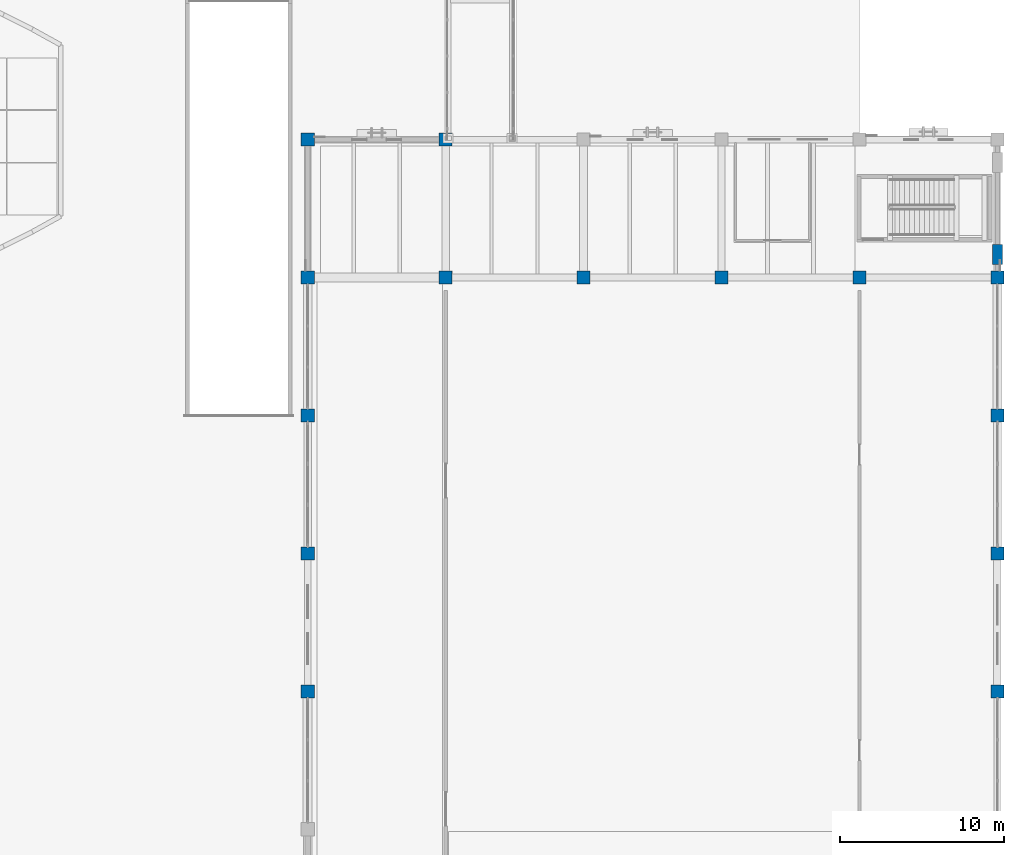
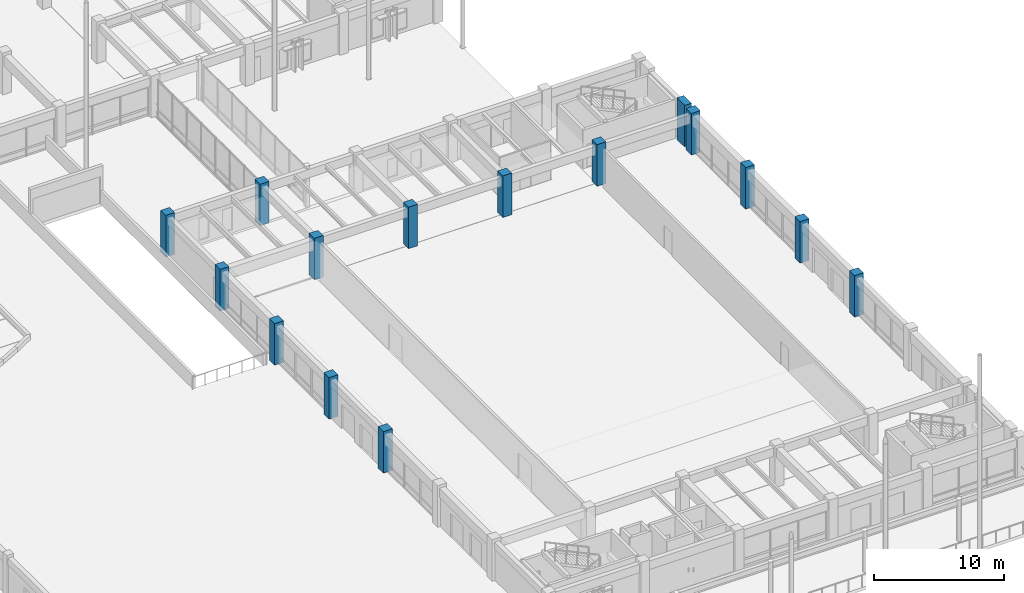
# One storey, part 19 of 135: 15 columns.
"""IFC4 building model written with IfcOpenShell, lengths in metres."""

from ifc_helpers import new_model, si_unit, direction, frame, origin, origin_2d, place, context, subcontext, project, spatial, rectangle, extrude, material, material_profile, profile_set, type_object, element, save


model = new_model("IFC4")

# Units and contexts
model_context = context("Model", 3, precision=1e-05, world=origin(), true_north=direction((0.0, 1.0)))
body_context = subcontext(model_context, "Body", "Model", "MODEL_VIEW")
ifc_project = project(units=[si_unit("LENGTHUNIT", "METRE"), si_unit("AREAUNIT", "SQUARE_METRE"), si_unit("VOLUMEUNIT", "CUBIC_METRE"), si_unit("PLANEANGLEUNIT", "RADIAN"), si_unit("MASSUNIT", "GRAM", prefix="KILO")], contexts=[model_context])

# Site, building, storey
site_placement = place(None, origin())
site = spatial("IfcSite", under=ifc_project, at=site_placement, CompositionType="ELEMENT")
building_placement = place(site_placement, origin())
building = spatial("IfcBuilding", under=site, at=building_placement, Name="Cumbredor Promenade Congress Hotel", CompositionType="ELEMENT")
storey_placement = place(building_placement, origin())
storey = spatial("IfcBuildingStorey", under=building, at=storey_placement, Name="L00", CompositionType="ELEMENT", Elevation=0.0)

# Columns
ifc_material = material(Name="Concrete C50/60", Category="concrete")
ifc_material_profile_1 = material_profile(ifc_material, rectangle(XDim=0.800048828125, YDim=0.800048828125, at=origin_2d()), Name="RC 800x800")
ifc_profile_set_1 = profile_set([ifc_material_profile_1], Name="Concrete C50/60")
column_type_1 = type_object("IfcColumnType", Name="COL-RC-800", PredefinedType="COLUMN", material=ifc_profile_set_1)
for number, where, z_axis, x_axis, name in (
    (1, (142.800048828125, 33.60009765625, 0.0), (0.0, 0.0, 1.0), (1.0, 0.0, 0.0), "L00 Structural Column 156"),
    (2, (142.800048828125, 42.0, 0.0), (0.0, 0.0, 1.0), (1.0, 0.0, 0.0), "L00 Structural Column 157"),
    (3, (142.800048828125, 50.39990234375, 0.0), (0.0, 0.0, 1.0), (1.0, 0.0, 0.0), "L00 Structural Column 158"),
    (4, (142.800048828125, 58.800048828125, 0.0), (0.0, 0.0, 1.0), (1.0, 0.0, 0.0), "L00 Structural Column 159"),
    (5, (142.800048828125, 67.199951171875, 0.0), (0.0, 0.0, 1.0), (1.0, 0.0, 0.0), "L00 Structural Column 160"),
    (6, (151.199951171875, 58.800048828125, 0.0), (0.0, 0.0, 1.0), (1.0, 0.0, 0.0), "L00 Structural Column 167"),
    (7, (151.199951171875, 67.199951171875, 0.0), (0.0, 0.0, 1.0), (1.0, 0.0, 0.0), "L00 Structural Column 168"),
    (8, (159.60009765625, 58.800048828125, 0.0), (0.0, 0.0, 1.0), (1.0, 0.0, 0.0), "L00 Structural Column 176"),
    (9, (168.0, 58.800048828125, 0.0), (0.0, 0.0, 1.0), (1.0, 0.0, 0.0), "L00 Structural Column 185"),
    (10, (176.39990234375, 58.800048828125, 0.0), (0.0, 0.0, 1.0), (1.0, 0.0, 0.0), "L00 Structural Column 194"),
    (11, (184.800048828125, 33.60009765625, 0.0), (0.0, 0.0, 1.0), (1.0, 0.0, 0.0), "L00 Structural Column 204"),
    (12, (184.800048828125, 42.0, 0.0), (0.0, 0.0, 1.0), (1.0, 0.0, 0.0), "L00 Structural Column 205"),
    (13, (184.800048828125, 50.39990234375, 0.0), (0.0, 0.0, 1.0), (1.0, 0.0, 0.0), "L00 Structural Column 206"),
    (14, (184.800048828125, 58.800048828125, 0.0), (0.0, 0.0, 1.0), (1.0, 0.0, 0.0), "L00 Structural Column 207"),
):
    element("IfcColumn", number, at=place(storey_placement, frame(where, z_axis=z_axis, x_axis=x_axis)), inside=storey, type_object=column_type_1, Name=name, PredefinedType="COLUMN", context=body_context, shape_type="SweptSolid", body=[
        extrude(rectangle(XDim=0.800048828125, YDim=0.800048828125, at=origin_2d()), origin(), (0.0, 0.0, 1.0), 3.919921875),
    ])
ifc_material_profile_2 = material_profile(ifc_material, rectangle(XDim=0.60009765625, YDim=1.199951171875, at=origin_2d()), Name="RC PILASTER 1200x600")
ifc_profile_set_2 = profile_set([ifc_material_profile_2], Name="Concrete C50/60")
column_type_2 = type_object("IfcColumnType", Name="PIL-RC-1200x600", PredefinedType="PILASTER", material=ifc_profile_set_2)
column_placement = place(storey_placement, frame((184.800048828125, 60.199951171875, 0.0), z_axis=(0.0, 0.0, 1.0), x_axis=(1.0, 0.0, 0.0)))
element("IfcColumn", 15, at=column_placement, inside=storey, type_object=column_type_2, Name="L00 Acoustic Seismic Pilaster 023", PredefinedType="PILASTER", context=body_context, shape_type="SweptSolid", body=[
    extrude(rectangle(XDim=0.60009765625, YDim=1.199951171875, at=origin_2d()), origin(), (0.0, 0.0, 1.0), 3.919921875),
])

save(model, "model.ifc")
